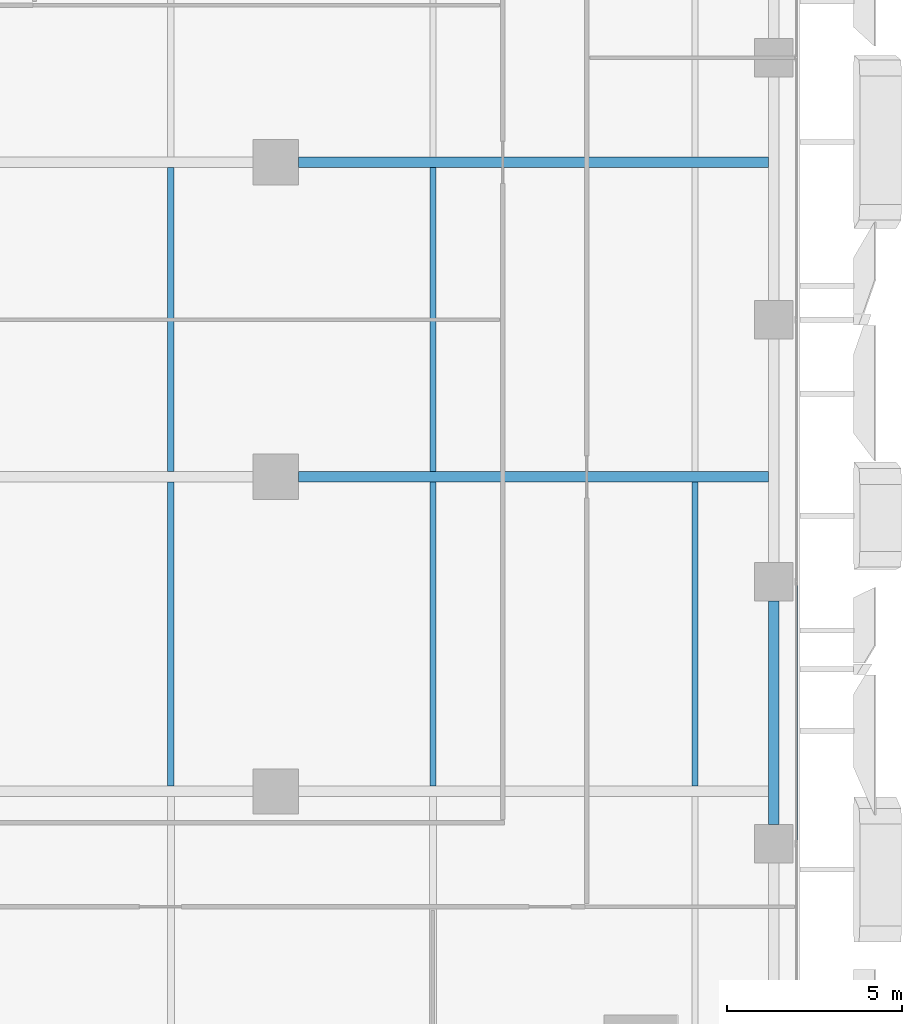
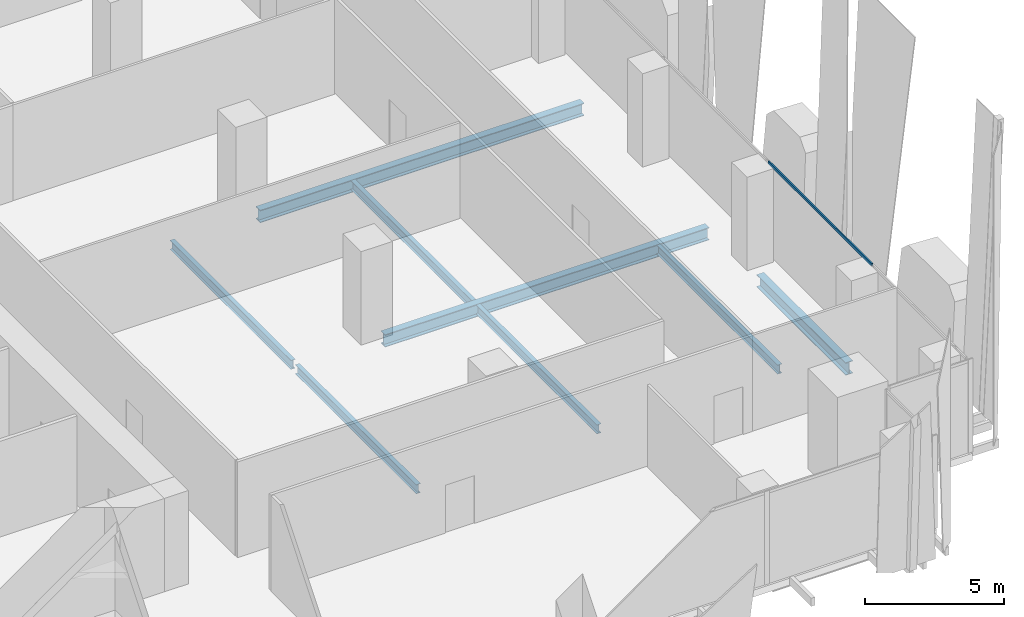
# One storey, part 10 of 34: 8 beams, 1 member, 1 element without a shape of its own.
"""IFC4 building model written with IfcOpenShell, lengths in metres."""

from ifc_helpers import new_model, si_unit, direction, frame, origin, origin_2d, place, context, subcontext, project, spatial, hollow_rectangle, i_section, extrude, source, transform, mapped, material, material_profile, profile_set, type_object, element, aggregate, save


model = new_model("IFC4")

# Units and contexts
model_context = context("Model", 3, precision=1e-05, world=origin(), true_north=direction((0.0, 1.0)))
body_context = subcontext(model_context, "Body", "Model", "MODEL_VIEW")
ifc_project = project(units=[si_unit("LENGTHUNIT", "METRE"), si_unit("AREAUNIT", "SQUARE_METRE"), si_unit("VOLUMEUNIT", "CUBIC_METRE"), si_unit("PLANEANGLEUNIT", "RADIAN"), si_unit("MASSUNIT", "GRAM", prefix="KILO")], contexts=[model_context])

# Site, building, storey
site_placement = place(None, origin())
site = spatial("IfcSite", under=ifc_project, at=site_placement, CompositionType="ELEMENT")
building_placement = place(site_placement, origin())
building = spatial("IfcBuilding", under=site, at=building_placement, Name="Khomas Fold Tower", CompositionType="ELEMENT")
storey_placement = place(building_placement, frame((0.0, 0.0, 114.699951171875)))
storey = spatial("IfcBuildingStorey", under=building, at=storey_placement, Name="L24", CompositionType="ELEMENT", Elevation=114.699951171875)

# Beams
ifc_material_1 = material(Name="Steel S355", Category="steel")
ifc_material_profile_1 = material_profile(ifc_material_1, i_section(OverallWidth=0.179931640625, OverallDepth=0.39990234375, WebThickness=0.008544921875, FlangeThickness=0.013427734375, at=origin_2d()), Name="IPE 400")
ifc_profile_set_1 = profile_set([ifc_material_profile_1], Name="Steel S355")
beam_type_1 = type_object("IfcBeamType", Name="IPE 400 beam JB3", PredefinedType="BEAM", material=ifc_profile_set_1)
shared_shape_1 = source(origin(), body_context, "Body", "SweptSolid", [
    extrude(i_section(OverallWidth=0.179931640625, OverallDepth=0.39990234375, WebThickness=0.008544921875, FlangeThickness=0.013427734375, at=origin_2d()), origin(), (0.0, 0.0, 1.0), 8.7001953125),
])
for number, where, z_axis, x_axis, name in (
    (1, (34.5, 13.64990234375, -0.5), (0.0, 1.0, 0.0), (-1.0, 0.0, 0.0), "JB3"),
    (2, (34.5, 22.64990234375, -0.5), (0.0, 1.0, 0.0), (-1.0, 0.0, 0.0), "JB3"),
    (3, (42.0, 13.64990234375, -0.5), (0.0, 1.0, 0.0), (-1.0, 0.0, 0.0), "JB3"),
    (4, (42.0, 22.64990234375, -0.5), (0.0, 1.0, 0.0), (-1.0, 0.0, 0.0), "JB3"),
    (5, (49.5, 13.64990234375, -0.5), (0.0, 1.0, 0.0), (-1.0, 0.0, 0.0), "JB3"),
):
    element("IfcBeam", number, at=place(storey_placement, frame(where, z_axis=z_axis, x_axis=x_axis)), inside=storey, type_object=beam_type_1, Name=name, PredefinedType="BEAM", context=body_context, shape_type="MappedRepresentation", body=[
        mapped(shared_shape_1, transform((0.0, 0.0, 0.0))),
    ])
ifc_material_2 = material(Name="Steel S355", Category="steel")
ifc_material_profile_2 = material_profile(ifc_material_2, i_section(OverallWidth=0.300048828125, OverallDepth=0.550048828125, WebThickness=0.014892578125, FlangeThickness=0.029052734375, at=origin_2d()), Name="HE 550 B")
ifc_profile_set_2 = profile_set([ifc_material_profile_2], Name="Steel S355")
beam_type_2 = type_object("IfcBeamType", Name="HE 550 B spandrel SB2", PredefinedType="SPANDREL", material=ifc_profile_set_2)
shared_shape_2 = source(origin(), body_context, "Body", "SweptSolid", [
    extrude(i_section(OverallWidth=0.300048828125, OverallDepth=0.550048828125, WebThickness=0.014892578125, FlangeThickness=0.029052734375, at=origin_2d()), origin(), (0.0, 0.0, 1.0), 6.39990234375),
])
beam_placement = place(storey_placement, frame((51.75, 12.550048828125, -0.574951171875), z_axis=(0.0, 1.0, 0.0), x_axis=(-1.0, 0.0, 0.0)))
element("IfcBeam", 6, at=beam_placement, inside=storey, type_object=beam_type_2, Name="SB2", PredefinedType="SPANDREL", context=body_context, shape_type="MappedRepresentation", body=[
    mapped(shared_shape_2, transform((0.0, 0.0, 0.0))),
])
ifc_material_3 = material(Name="Steel S355", Category="steel")
ifc_material_profile_3 = material_profile(ifc_material_3, i_section(OverallWidth=0.300048828125, OverallDepth=0.550048828125, WebThickness=0.014892578125, FlangeThickness=0.029052734375, at=origin_2d()), Name="HE 550 B")
ifc_profile_set_3 = profile_set([ifc_material_profile_3], Name="Steel S355")
beam_type_3 = type_object("IfcBeamType", Name="HE 550 B beam GB4", PredefinedType="BEAM", material=ifc_profile_set_3)
shared_shape_3 = source(origin(), body_context, "Body", "SweptSolid", [
    extrude(i_section(OverallWidth=0.300048828125, OverallDepth=0.550048828125, WebThickness=0.014892578125, FlangeThickness=0.029052734375, at=origin_2d()), origin(), (0.0, 0.0, 1.0), 13.4501953125),
])
for number, where, z_axis, x_axis, name in (
    (7, (38.14990234375, 22.5, -0.574951171875), (1.0, 0.0, 0.0), (0.0, 1.0, 0.0), "GB4"),
    (8, (38.14990234375, 31.5, -0.574951171875), (1.0, 0.0, 0.0), (0.0, 1.0, 0.0), "GB4"),
):
    element("IfcBeam", number, at=place(storey_placement, frame(where, z_axis=z_axis, x_axis=x_axis)), inside=storey, type_object=beam_type_3, Name=name, PredefinedType="BEAM", context=body_context, shape_type="MappedRepresentation", body=[
        mapped(shared_shape_3, transform((0.0, 0.0, 0.0))),
    ])

# Curtain wall, member
ifc_material_4 = material(Name="Aluminium framed double glazing", Category="aluminium")
curtain_wall_type = type_object("IfcCurtainWallType", Name="SK-Unitised clear-glass wall, growing floors CW1", PredefinedType="NOTDEFINED", material=ifc_material_4)
curtain_wall_placement = place(storey_placement, origin())
curtain_wall = element("IfcCurtainWall", 9, at=curtain_wall_placement, inside=storey, type_object=curtain_wall_type, Name="CW1 run L24 03-0", PredefinedType="NOTDEFINED")
ifc_material_5 = material(Name="Aluminium", Category="aluminium")
ifc_material_profile_4 = material_profile(ifc_material_5, hollow_rectangle(XDim=0.06005859375, YDim=0.1201171875, WallThickness=0.00390625, at=origin_2d()), Name="SK-Unitised clear-glass wall, growing floors transom CW1-T")
ifc_profile_set_4 = profile_set([ifc_material_profile_4], Name="Aluminium")
member_type = type_object("IfcMemberType", Name="SK-Unitised clear-glass wall, growing floors transom CW1-T", PredefinedType="USERDEFINED", material=ifc_profile_set_4)
shared_shape_4 = source(origin(), body_context, "Body", "SweptSolid", [
    extrude(hollow_rectangle(XDim=0.06005859375, YDim=0.1201171875, WallThickness=0.00390625, at=origin_2d()), origin(), (0.0, 0.0, 1.0), 7.43994140625),
])
member_placement = place(storey_placement, frame((52.39990234375, 12.030029296875, 4.0400390625), z_axis=(0.0, 1.0, 0.0), x_axis=(-1.0, 0.0, 0.0)))
member = element("IfcMember", 10, at=member_placement, type_object=member_type, Name="CW1 transom 3", ObjectType="TRANSOM", PredefinedType="USERDEFINED", context=body_context, shape_type="MappedRepresentation", body=[
    mapped(shared_shape_4, transform((0.0, 0.0, 0.0))),
])
aggregate(curtain_wall, [member])

save(model, "model.ifc")
